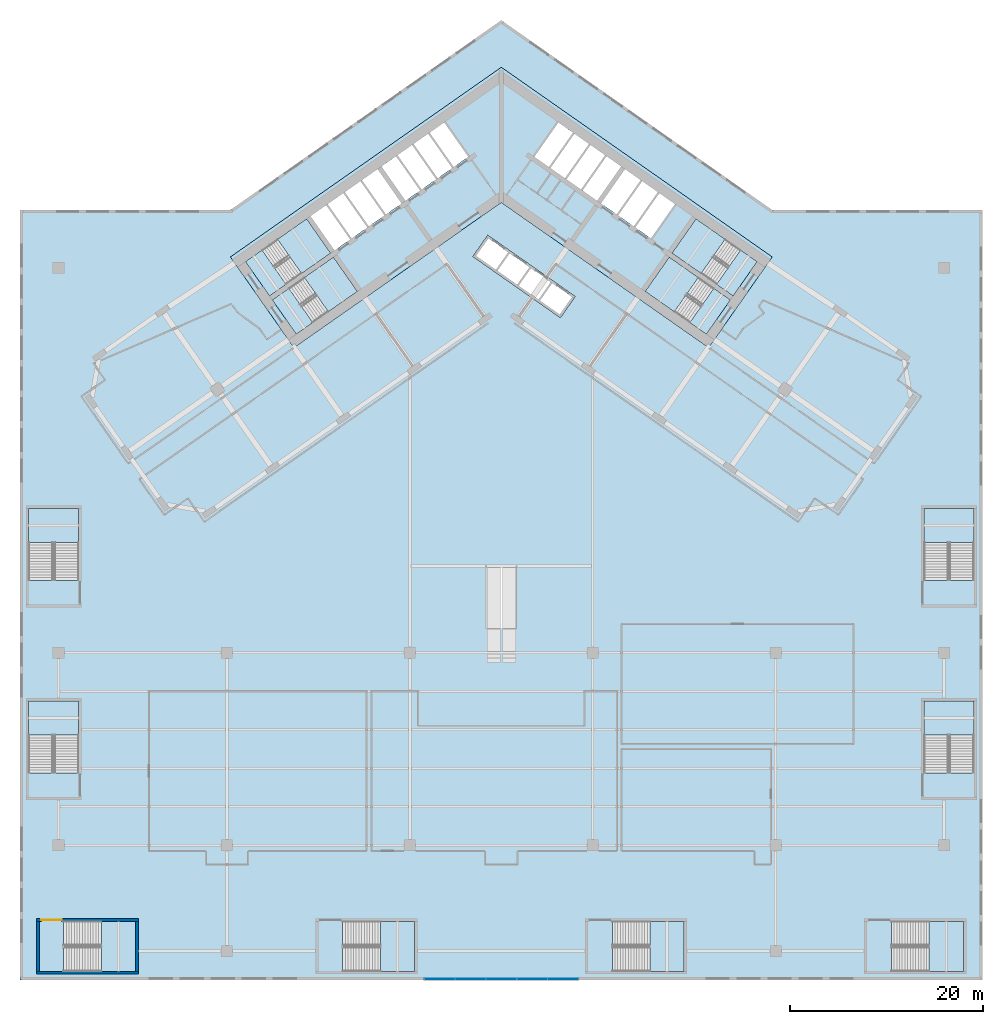
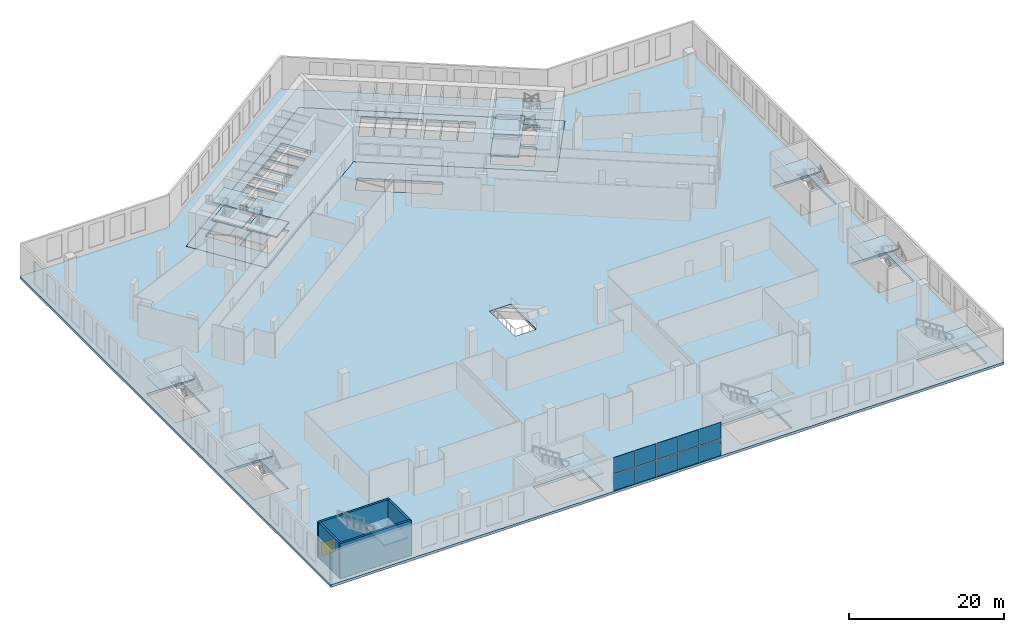
# One storey, part 4 of 26: 22 slabs, 10 plates, 4 walls, 1 door, 1 opening, 13 elements without a shape of their own.
"""IFC4 building model written with IfcOpenShell, lengths in metres."""

from ifc_helpers import new_model, si_unit, direction, frame, frame_2d, origin, origin_2d, place, context, subcontext, project, spatial, polyline, rectangle, outline, extrude, material, layer, layer_set, type_object, element, fill, aggregate, save


model = new_model("IFC4")

# Units and contexts
model_context = context("Model", 3, precision=1e-05, world=origin(), true_north=direction((0.0, 1.0)))
body_context = subcontext(model_context, "Body", "Model", "MODEL_VIEW")
ifc_project = project(units=[si_unit("LENGTHUNIT", "METRE"), si_unit("AREAUNIT", "SQUARE_METRE"), si_unit("VOLUMEUNIT", "CUBIC_METRE"), si_unit("PLANEANGLEUNIT", "RADIAN"), si_unit("MASSUNIT", "GRAM", prefix="KILO")], contexts=[model_context])

# Site, building, storey
site_placement = place(None, origin())
site = spatial("IfcSite", under=ifc_project, at=site_placement, CompositionType="ELEMENT")
building_placement = place(site_placement, origin())
building = spatial("IfcBuilding", under=site, at=building_placement, Name="Tel Ilan Convention Tower", CompositionType="ELEMENT")
storey_placement = place(building_placement, frame((0.0, 0.0, 37.5)))
storey = spatial("IfcBuildingStorey", under=building, at=storey_placement, Name="L05", CompositionType="ELEMENT", Elevation=37.5)

# Curtain wall, plates
ifc_material_1 = material(Name="Aluminium, bronze anodised", Category="aluminium")
curtain_wall_type = type_object("IfcCurtainWallType", Name="CW3 FOYER CURTAIN WALL, CLEAR GLASS", PredefinedType="NOTDEFINED", material=ifc_material_1)
curtain_wall_placement = place(storey_placement, origin())
curtain_wall = element("IfcCurtainWall", 1, at=curtain_wall_placement, inside=storey, type_object=curtain_wall_type, Name="Curtain wall CW3-08.F01", PredefinedType="NOTDEFINED")
ifc_material_2 = material(Name="Glass, clear, two-ply", Category="glass")
ifc_layer_1 = layer(ifc_material_2, 0.028076171875)
ifc_layer_set_1 = layer_set([ifc_layer_1], Name="CW FOYER GLASS PANEL 28")
plate_type = type_object("IfcPlateType", Name="CW FOYER GLASS PANEL 28", PredefinedType="CURTAIN_PANEL", material=ifc_layer_set_1)
plate_1_placement = place(storey_placement, frame((-6.39990234375, -81.89990234375, 0.0), z_axis=(0.0, 0.0, 1.0), x_axis=(1.0, 0.0, 0.0)))
plate_1 = element("IfcPlate", 2, at=plate_1_placement, type_object=plate_type, Name="Glass panel", PredefinedType="CURTAIN_PANEL", context=body_context, shape_type="SweptSolid", body=[
    extrude(rectangle(XDim=3.139892578125, YDim=0.028076171875, at=origin_2d()), origin(), (0.0, 0.0, 1.0), 2.550048828125),
])
plate_2_placement = place(storey_placement, frame((-6.39990234375, -81.89990234375, 2.669921875), z_axis=(0.0, 0.0, 1.0), x_axis=(1.0, 0.0, 0.0)))
plate_2 = element("IfcPlate", 3, at=plate_2_placement, type_object=plate_type, Name="Glass panel", PredefinedType="CURTAIN_PANEL", context=body_context, shape_type="SweptSolid", body=[
    extrude(rectangle(XDim=3.139892578125, YDim=0.028076171875, at=origin_2d()), origin(), (0.0, 0.0, 1.0), 2.550048828125),
])
plate_3_placement = place(storey_placement, frame((-3.199951171875, -81.89990234375, 0.0), z_axis=(0.0, 0.0, 1.0), x_axis=(1.0, 0.0, 0.0)))
plate_3 = element("IfcPlate", 4, at=plate_3_placement, type_object=plate_type, Name="Glass panel", PredefinedType="CURTAIN_PANEL", context=body_context, shape_type="SweptSolid", body=[
    extrude(rectangle(XDim=3.139892578125, YDim=0.028076171875, at=origin_2d()), origin(), (0.0, 0.0, 1.0), 2.550048828125),
])
plate_4_placement = place(storey_placement, frame((-3.199951171875, -81.89990234375, 2.669921875), z_axis=(0.0, 0.0, 1.0), x_axis=(1.0, 0.0, 0.0)))
plate_4 = element("IfcPlate", 5, at=plate_4_placement, type_object=plate_type, Name="Glass panel", PredefinedType="CURTAIN_PANEL", context=body_context, shape_type="SweptSolid", body=[
    extrude(rectangle(XDim=3.139892578125, YDim=0.028076171875, at=origin_2d()), origin(), (0.0, 0.0, 1.0), 2.550048828125),
])
plate_5_placement = place(storey_placement, frame((0.0, -81.89990234375, 0.0), z_axis=(0.0, 0.0, 1.0), x_axis=(1.0, 0.0, 0.0)))
plate_5 = element("IfcPlate", 6, at=plate_5_placement, type_object=plate_type, Name="Glass panel", PredefinedType="CURTAIN_PANEL", context=body_context, shape_type="SweptSolid", body=[
    extrude(rectangle(XDim=3.139892578125, YDim=0.028076171875, at=origin_2d()), origin(), (0.0, 0.0, 1.0), 2.550048828125),
])
plate_6_placement = place(storey_placement, frame((0.0, -81.89990234375, 2.669921875), z_axis=(0.0, 0.0, 1.0), x_axis=(1.0, 0.0, 0.0)))
plate_6 = element("IfcPlate", 7, at=plate_6_placement, type_object=plate_type, Name="Glass panel", PredefinedType="CURTAIN_PANEL", context=body_context, shape_type="SweptSolid", body=[
    extrude(rectangle(XDim=3.139892578125, YDim=0.028076171875, at=origin_2d()), origin(), (0.0, 0.0, 1.0), 2.550048828125),
])
plate_7_placement = place(storey_placement, frame((3.199951171875, -81.89990234375, 0.0), z_axis=(0.0, 0.0, 1.0), x_axis=(1.0, 0.0, 0.0)))
plate_7 = element("IfcPlate", 8, at=plate_7_placement, type_object=plate_type, Name="Glass panel", PredefinedType="CURTAIN_PANEL", context=body_context, shape_type="SweptSolid", body=[
    extrude(rectangle(XDim=3.139892578125, YDim=0.028076171875, at=origin_2d()), origin(), (0.0, 0.0, 1.0), 2.550048828125),
])
plate_8_placement = place(storey_placement, frame((3.199951171875, -81.89990234375, 2.669921875), z_axis=(0.0, 0.0, 1.0), x_axis=(1.0, 0.0, 0.0)))
plate_8 = element("IfcPlate", 9, at=plate_8_placement, type_object=plate_type, Name="Glass panel", PredefinedType="CURTAIN_PANEL", context=body_context, shape_type="SweptSolid", body=[
    extrude(rectangle(XDim=3.139892578125, YDim=0.028076171875, at=origin_2d()), origin(), (0.0, 0.0, 1.0), 2.550048828125),
])
plate_9_placement = place(storey_placement, frame((6.39990234375, -81.89990234375, 0.0), z_axis=(0.0, 0.0, 1.0), x_axis=(1.0, 0.0, 0.0)))
plate_9 = element("IfcPlate", 10, at=plate_9_placement, type_object=plate_type, Name="Glass panel", PredefinedType="CURTAIN_PANEL", context=body_context, shape_type="SweptSolid", body=[
    extrude(rectangle(XDim=3.139892578125, YDim=0.028076171875, at=origin_2d()), origin(), (0.0, 0.0, 1.0), 2.550048828125),
])
plate_10_placement = place(storey_placement, frame((6.39990234375, -81.89990234375, 2.669921875), z_axis=(0.0, 0.0, 1.0), x_axis=(1.0, 0.0, 0.0)))
plate_10 = element("IfcPlate", 11, at=plate_10_placement, type_object=plate_type, Name="Glass panel", PredefinedType="CURTAIN_PANEL", context=body_context, shape_type="SweptSolid", body=[
    extrude(rectangle(XDim=3.139892578125, YDim=0.028076171875, at=origin_2d()), origin(), (0.0, 0.0, 1.0), 2.550048828125),
])
aggregate(curtain_wall, [plate_1, plate_2, plate_3, plate_4, plate_5, plate_6, plate_7, plate_8, plate_9, plate_10])

# Stair, slabs
ifc_material_3 = material(Name="Concrete C40/50", Category="concrete")
stair_type_1 = type_object("IfcStairType", Name="Pressurised Exit Stair 32 risers 172 mm", PredefinedType="HALF_TURN_STAIR", material=ifc_material_3)
stair_1_placement = place(storey_placement, origin())
stair_1 = element("IfcStair", 12, at=stair_1_placement, inside=storey, type_object=stair_type_1, Name="L05 Pressurised Stair S1", PredefinedType="HALF_TURN_STAIR")
ifc_material_4 = material(Name="Concrete C40/50", Category="concrete")
ifc_layer_2 = layer(ifc_material_4, 0.199951171875)
ifc_layer_set_2 = layer_set([ifc_layer_2], Name="Concrete Stair Landing 200 mm C40/50")
slab_type_1 = type_object("IfcSlabType", Name="Concrete Stair Landing 200 mm", PredefinedType="LANDING", material=ifc_layer_set_2)
slab_1_placement = place(storey_placement, frame((0.0, 0.0, 1.175048828125)))
slab_1 = element("IfcSlab", 13, at=slab_1_placement, type_object=slab_type_1, Name="S1 landing 1", PredefinedType="LANDING", context=body_context, shape_type="SweptSolid", body=[
    extrude(outline(polyline([(-20.754638671875, -8.61181640625), (-17.7314453125, -6.494873046875), (-20.226318359375, -2.931640625), (-23.249755859375, -5.048583984375), (-20.754638671875, -8.61181640625)])), origin(), (0.0, 0.0, 1.0), 0.199951171875),
])
slab_2_placement = place(storey_placement, frame((0.0, 0.0, 2.550048828125)))
slab_2 = element("IfcSlab", 14, at=slab_2_placement, type_object=slab_type_1, Name="S1 landing 2", PredefinedType="LANDING", context=body_context, shape_type="SweptSolid", body=[
    extrude(outline(polyline([(-24.079833984375, -10.940185546875), (-22.35888671875, -9.735107421875), (-24.85400390625, -6.171875), (-26.574951171875, -7.376708984375), (-24.079833984375, -10.940185546875)])), origin(), (0.0, 0.0, 1.0), 0.199951171875),
])
slab_3_placement = place(storey_placement, frame((0.0, 0.0, 3.925048828125)))
slab_3 = element("IfcSlab", 15, at=slab_3_placement, type_object=slab_type_1, Name="S1 landing 3", PredefinedType="LANDING", context=body_context, shape_type="SweptSolid", body=[
    extrude(outline(polyline([(-20.754638671875, -8.61181640625), (-17.7314453125, -6.494873046875), (-20.226318359375, -2.931640625), (-23.249755859375, -5.048583984375), (-20.754638671875, -8.61181640625)])), origin(), (0.0, 0.0, 1.0), 0.199951171875),
])
aggregate(stair_1, [slab_1, slab_2, slab_3])

stair_2_placement = place(storey_placement, origin())
stair_2 = element("IfcStair", 16, at=stair_2_placement, inside=storey, type_object=stair_type_1, Name="L05 Pressurised Stair S2", PredefinedType="HALF_TURN_STAIR")
slab_4_placement = place(storey_placement, frame((0.0, 0.0, 1.175048828125)))
slab_4 = element("IfcSlab", 17, at=slab_4_placement, type_object=slab_type_1, Name="S2 landing 1", PredefinedType="LANDING", context=body_context, shape_type="SweptSolid", body=[
    extrude(outline(polyline([(-17.972900390625, -12.584716796875), (-14.949462890625, -10.4677734375), (-17.444580078125, -6.904541015625), (-20.468017578125, -9.021484375), (-17.972900390625, -12.584716796875)])), origin(), (0.0, 0.0, 1.0), 0.199951171875),
])
slab_5_placement = place(storey_placement, frame((0.0, 0.0, 2.550048828125)))
slab_5 = element("IfcSlab", 18, at=slab_5_placement, type_object=slab_type_1, Name="S2 landing 2", PredefinedType="LANDING", context=body_context, shape_type="SweptSolid", body=[
    extrude(outline(polyline([(-21.2978515625, -14.9130859375), (-19.5771484375, -13.7080078125), (-22.072021484375, -10.144775390625), (-23.79296875, -11.349609375), (-21.2978515625, -14.9130859375)])), origin(), (0.0, 0.0, 1.0), 0.199951171875),
])
slab_6_placement = place(storey_placement, frame((0.0, 0.0, 3.925048828125)))
slab_6 = element("IfcSlab", 19, at=slab_6_placement, type_object=slab_type_1, Name="S2 landing 3", PredefinedType="LANDING", context=body_context, shape_type="SweptSolid", body=[
    extrude(outline(polyline([(-17.972900390625, -12.584716796875), (-14.949462890625, -10.4677734375), (-17.444580078125, -6.904541015625), (-20.468017578125, -9.021484375), (-17.972900390625, -12.584716796875)])), origin(), (0.0, 0.0, 1.0), 0.199951171875),
])
aggregate(stair_2, [slab_4, slab_5, slab_6])

stair_3_placement = place(storey_placement, origin())
stair_3 = element("IfcStair", 20, at=stair_3_placement, inside=storey, type_object=stair_type_1, Name="L05 Pressurised Stair S3", PredefinedType="HALF_TURN_STAIR")
slab_7_placement = place(storey_placement, frame((0.0, 0.0, 1.175048828125)))
slab_7 = element("IfcSlab", 21, at=slab_7_placement, type_object=slab_type_1, Name="S3 landing 1", PredefinedType="LANDING", context=body_context, shape_type="SweptSolid", body=[
    extrude(outline(polyline([(23.249755859375, -5.048583984375), (20.226318359375, -2.931640625), (17.7314453125, -6.494873046875), (20.754638671875, -8.61181640625), (23.249755859375, -5.048583984375)])), origin(), (0.0, 0.0, 1.0), 0.199951171875),
])
slab_8_placement = place(storey_placement, frame((0.0, 0.0, 2.550048828125)))
slab_8 = element("IfcSlab", 22, at=slab_8_placement, type_object=slab_type_1, Name="S3 landing 2", PredefinedType="LANDING", context=body_context, shape_type="SweptSolid", body=[
    extrude(outline(polyline([(26.574951171875, -7.376708984375), (24.85400390625, -6.171875), (22.35888671875, -9.735107421875), (24.079833984375, -10.940185546875), (26.574951171875, -7.376708984375)])), origin(), (0.0, 0.0, 1.0), 0.199951171875),
])
slab_9_placement = place(storey_placement, frame((0.0, 0.0, 3.925048828125)))
slab_9 = element("IfcSlab", 23, at=slab_9_placement, type_object=slab_type_1, Name="S3 landing 3", PredefinedType="LANDING", context=body_context, shape_type="SweptSolid", body=[
    extrude(outline(polyline([(23.249755859375, -5.048583984375), (20.226318359375, -2.931640625), (17.7314453125, -6.494873046875), (20.754638671875, -8.61181640625), (23.249755859375, -5.048583984375)])), origin(), (0.0, 0.0, 1.0), 0.199951171875),
])
aggregate(stair_3, [slab_7, slab_8, slab_9])

stair_4_placement = place(storey_placement, origin())
stair_4 = element("IfcStair", 24, at=stair_4_placement, inside=storey, type_object=stair_type_1, Name="L05 Pressurised Stair S4", PredefinedType="HALF_TURN_STAIR")
slab_10_placement = place(storey_placement, frame((0.0, 0.0, 1.175048828125)))
slab_10 = element("IfcSlab", 25, at=slab_10_placement, type_object=slab_type_1, Name="S4 landing 1", PredefinedType="LANDING", context=body_context, shape_type="SweptSolid", body=[
    extrude(outline(polyline([(20.468017578125, -9.021484375), (17.444580078125, -6.904541015625), (14.949462890625, -10.4677734375), (17.972900390625, -12.584716796875), (20.468017578125, -9.021484375)])), origin(), (0.0, 0.0, 1.0), 0.199951171875),
])
slab_11_placement = place(storey_placement, frame((0.0, 0.0, 2.550048828125)))
slab_11 = element("IfcSlab", 26, at=slab_11_placement, type_object=slab_type_1, Name="S4 landing 2", PredefinedType="LANDING", context=body_context, shape_type="SweptSolid", body=[
    extrude(outline(polyline([(23.79296875, -11.349609375), (22.072021484375, -10.144775390625), (19.5771484375, -13.7080078125), (21.2978515625, -14.9130859375), (23.79296875, -11.349609375)])), origin(), (0.0, 0.0, 1.0), 0.199951171875),
])
slab_12_placement = place(storey_placement, frame((0.0, 0.0, 3.925048828125)))
slab_12 = element("IfcSlab", 27, at=slab_12_placement, type_object=slab_type_1, Name="S4 landing 3", PredefinedType="LANDING", context=body_context, shape_type="SweptSolid", body=[
    extrude(outline(polyline([(20.468017578125, -9.021484375), (17.444580078125, -6.904541015625), (14.949462890625, -10.4677734375), (17.972900390625, -12.584716796875), (20.468017578125, -9.021484375)])), origin(), (0.0, 0.0, 1.0), 0.199951171875),
])
aggregate(stair_4, [slab_10, slab_11, slab_12])

# Stair, slab
ifc_material_5 = material(Name="Concrete C40/50", Category="concrete")
stair_type_2 = type_object("IfcStairType", Name="Pressurised Exit Stair 30 risers 183 mm", PredefinedType="HALF_TURN_STAIR", material=ifc_material_5)
stair_5_placement = place(storey_placement, origin())
stair_5 = element("IfcStair", 28, at=stair_5_placement, inside=storey, type_object=stair_type_2, Name="L05 Podium Exit Stair P1", PredefinedType="HALF_TURN_STAIR")
slab_13_placement = place(storey_placement, frame((0.0, 0.0, 2.550048828125)))
slab_13 = element("IfcSlab", 29, at=slab_13_placement, type_object=slab_type_1, Name="P1 landing 1", PredefinedType="LANDING", context=body_context, shape_type="SweptSolid", body=[
    extrude(outline(polyline([(-41.555908203125, -81.10009765625), (-38.0, -81.10009765625), (-38.0, -75.89990234375), (-41.555908203125, -75.89990234375), (-41.555908203125, -81.10009765625)])), origin(), (0.0, 0.0, 1.0), 0.199951171875),
])
aggregate(stair_5, [slab_13])

stair_6_placement = place(storey_placement, origin())
stair_6 = element("IfcStair", 30, at=stair_6_placement, inside=storey, type_object=stair_type_2, Name="L05 Podium Exit Stair P2", PredefinedType="HALF_TURN_STAIR")
slab_14_placement = place(storey_placement, frame((0.0, 0.0, 2.550048828125)))
slab_14 = element("IfcSlab", 31, at=slab_14_placement, type_object=slab_type_1, Name="P2 landing 1", PredefinedType="LANDING", context=body_context, shape_type="SweptSolid", body=[
    extrude(outline(polyline([(-12.555908203125, -81.10009765625), (-9.0, -81.10009765625), (-9.0, -75.89990234375), (-12.555908203125, -75.89990234375), (-12.555908203125, -81.10009765625)])), origin(), (0.0, 0.0, 1.0), 0.199951171875),
])
aggregate(stair_6, [slab_14])

stair_7_placement = place(storey_placement, origin())
stair_7 = element("IfcStair", 32, at=stair_7_placement, inside=storey, type_object=stair_type_2, Name="L05 Podium Exit Stair P3", PredefinedType="HALF_TURN_STAIR")
slab_15_placement = place(storey_placement, frame((0.0, 0.0, 2.550048828125)))
slab_15 = element("IfcSlab", 33, at=slab_15_placement, type_object=slab_type_1, Name="P3 landing 1", PredefinedType="LANDING", context=body_context, shape_type="SweptSolid", body=[
    extrude(outline(polyline([(15.444091796875, -81.10009765625), (19.0, -81.10009765625), (19.0, -75.89990234375), (15.444091796875, -75.89990234375), (15.444091796875, -81.10009765625)])), origin(), (0.0, 0.0, 1.0), 0.199951171875),
])
aggregate(stair_7, [slab_15])

stair_8_placement = place(storey_placement, origin())
stair_8 = element("IfcStair", 34, at=stair_8_placement, inside=storey, type_object=stair_type_2, Name="L05 Podium Exit Stair P4", PredefinedType="HALF_TURN_STAIR")
slab_16_placement = place(storey_placement, frame((0.0, 0.0, 2.550048828125)))
slab_16 = element("IfcSlab", 35, at=slab_16_placement, type_object=slab_type_1, Name="P4 landing 1", PredefinedType="LANDING", context=body_context, shape_type="SweptSolid", body=[
    extrude(outline(polyline([(44.444091796875, -81.10009765625), (48.0, -81.10009765625), (48.0, -75.89990234375), (44.444091796875, -75.89990234375), (44.444091796875, -81.10009765625)])), origin(), (0.0, 0.0, 1.0), 0.199951171875),
])
aggregate(stair_8, [slab_16])

stair_9_placement = place(storey_placement, origin())
stair_9 = element("IfcStair", 36, at=stair_9_placement, inside=storey, type_object=stair_type_2, Name="L05 Podium Exit Stair P5", PredefinedType="HALF_TURN_STAIR")
slab_17_placement = place(storey_placement, frame((0.0, 0.0, 2.550048828125)))
slab_17 = element("IfcSlab", 37, at=slab_17_placement, type_object=slab_type_1, Name="P5 landing 1", PredefinedType="LANDING", context=body_context, shape_type="SweptSolid", body=[
    extrude(outline(polyline([(-43.89990234375, -56.555908203125), (-43.89990234375, -53.0), (-49.10009765625, -53.0), (-49.10009765625, -56.555908203125), (-43.89990234375, -56.555908203125)])), origin(), (0.0, 0.0, 1.0), 0.199951171875),
])
aggregate(stair_9, [slab_17])

stair_10_placement = place(storey_placement, origin())
stair_10 = element("IfcStair", 38, at=stair_10_placement, inside=storey, type_object=stair_type_2, Name="L05 Podium Exit Stair P6", PredefinedType="HALF_TURN_STAIR")
slab_18_placement = place(storey_placement, frame((0.0, 0.0, 2.550048828125)))
slab_18 = element("IfcSlab", 39, at=slab_18_placement, type_object=slab_type_1, Name="P6 landing 1", PredefinedType="LANDING", context=body_context, shape_type="SweptSolid", body=[
    extrude(outline(polyline([(49.10009765625, -56.555908203125), (49.10009765625, -53.0), (43.89990234375, -53.0), (43.89990234375, -56.555908203125), (49.10009765625, -56.555908203125)])), origin(), (0.0, 0.0, 1.0), 0.199951171875),
])
aggregate(stair_10, [slab_18])

stair_11_placement = place(storey_placement, origin())
stair_11 = element("IfcStair", 40, at=stair_11_placement, inside=storey, type_object=stair_type_2, Name="L05 Podium Exit Stair P7", PredefinedType="HALF_TURN_STAIR")
slab_19_placement = place(storey_placement, frame((0.0, 0.0, 2.550048828125)))
slab_19 = element("IfcSlab", 41, at=slab_19_placement, type_object=slab_type_1, Name="P7 landing 1", PredefinedType="LANDING", context=body_context, shape_type="SweptSolid", body=[
    extrude(outline(polyline([(-43.89990234375, -36.555908203125), (-43.89990234375, -33.0), (-49.10009765625, -33.0), (-49.10009765625, -36.555908203125), (-43.89990234375, -36.555908203125)])), origin(), (0.0, 0.0, 1.0), 0.199951171875),
])
aggregate(stair_11, [slab_19])

stair_12_placement = place(storey_placement, origin())
stair_12 = element("IfcStair", 42, at=stair_12_placement, inside=storey, type_object=stair_type_2, Name="L05 Podium Exit Stair P8", PredefinedType="HALF_TURN_STAIR")
slab_20_placement = place(storey_placement, frame((0.0, 0.0, 2.550048828125)))
slab_20 = element("IfcSlab", 43, at=slab_20_placement, type_object=slab_type_1, Name="P8 landing 1", PredefinedType="LANDING", context=body_context, shape_type="SweptSolid", body=[
    extrude(outline(polyline([(49.10009765625, -36.555908203125), (49.10009765625, -33.0), (43.89990234375, -33.0), (43.89990234375, -36.555908203125), (49.10009765625, -36.555908203125)])), origin(), (0.0, 0.0, 1.0), 0.199951171875),
])
aggregate(stair_12, [slab_20])

# Slabs
ifc_material_6 = material(Name="Concrete C40/50", Category="concrete")
ifc_layer_3 = layer(ifc_material_6, 0.39990234375)
ifc_layer_set_3 = layer_set([ifc_layer_3], Name="Core Floor Slab 400 mm C40/50")
slab_type_2 = type_object("IfcSlabType", Name="Core Floor Slab 400 mm C40/50", PredefinedType="FLOOR", material=ifc_layer_set_3)
slab_21_placement = place(storey_placement, frame((0.0, 0.0, -0.39990234375)))
element("IfcSlab", 44, at=slab_21_placement, inside=storey, type_object=slab_type_2, Name="L05 core floor 1", PredefinedType="FLOOR", context=body_context, shape_type="SweptSolid", body=[
    extrude(outline(polyline([(-28.1396484375, -6.885498046875), (0.0, 12.818115234375), (28.1396484375, -6.885498046875), (21.54345703125, -16.3056640625), (0.0, -1.220703125), (-21.54345703125, -16.3056640625), (-28.1396484375, -6.885498046875)]), holes=[polyline([(-19.5771484375, -13.7080078125), (-14.949462890625, -10.4677734375), (-17.444580078125, -6.904541015625), (-22.072021484375, -10.144775390625), (-19.5771484375, -13.7080078125)]), polyline([(-22.35888671875, -9.735107421875), (-17.7314453125, -6.494873046875), (-20.226318359375, -2.931640625), (-24.85400390625, -6.171875), (-22.35888671875, -9.735107421875)]), polyline([(-15.7041015625, -5.0751953125), (-18.198974609375, -1.511962890625), (-19.81689453125, -2.644775390625), (-17.32177734375, -6.2080078125), (-15.7041015625, -5.0751953125)]), polyline([(-13.92236328125, -3.827880859375), (-16.41748046875, -0.264404296875), (-18.03515625, -1.397216796875), (-15.5400390625, -4.960693359375), (-13.92236328125, -3.827880859375)]), polyline([(-12.140625, -2.580078125), (-14.6357421875, 0.983154296875), (-16.25341796875, -0.149658203125), (-13.758544921875, -3.712890625), (-12.140625, -2.580078125)]), polyline([(-10.35888671875, -1.332763671875), (-12.85400390625, 2.230712890625), (-14.471923828125, 1.097900390625), (-11.976806640625, -2.465576171875), (-10.35888671875, -1.332763671875)]), polyline([(-8.444091796875, 0.008056640625), (-10.939208984375, 3.5712890625), (-12.444580078125, 2.517333984375), (-9.949462890625, -1.0458984375), (-8.444091796875, 0.008056640625)]), polyline([(-6.775146484375, 1.1767578125), (-9.270263671875, 4.739990234375), (-10.775390625, 3.68603515625), (-8.280517578125, 0.122802734375), (-6.775146484375, 1.1767578125)]), polyline([(-5.106201171875, 2.345458984375), (-7.601318359375, 5.90869140625), (-9.1064453125, 4.854736328125), (-6.611328125, 1.29150390625), (-5.106201171875, 2.345458984375)]), polyline([(-3.437255859375, 3.513916015625), (-5.93212890625, 7.077392578125), (-7.4375, 6.0234375), (-4.9423828125, 2.460205078125), (-3.437255859375, 3.513916015625)]), polyline([(22.072021484375, -10.144775390625), (17.444580078125, -6.904541015625), (14.949462890625, -10.4677734375), (19.5771484375, -13.7080078125), (22.072021484375, -10.144775390625)]), polyline([(24.85400390625, -6.171875), (20.226318359375, -2.931640625), (17.7314453125, -6.494873046875), (22.35888671875, -9.735107421875), (24.85400390625, -6.171875)]), polyline([(13.92236328125, -3.827880859375), (15.5400390625, -4.960693359375), (18.03515625, -1.397216796875), (16.41748046875, -0.264404296875), (13.92236328125, -3.827880859375)]), polyline([(12.140625, -2.580078125), (13.758544921875, -3.712890625), (16.25341796875, -0.149658203125), (14.6357421875, 0.983154296875), (12.140625, -2.580078125)]), polyline([(10.35888671875, -1.332763671875), (11.976806640625, -2.465576171875), (14.471923828125, 1.097900390625), (12.85400390625, 2.230712890625), (10.35888671875, -1.332763671875)]), polyline([(8.444091796875, 0.008056640625), (9.949462890625, -1.0458984375), (12.444580078125, 2.517333984375), (10.939208984375, 3.5712890625), (8.444091796875, 0.008056640625)]), polyline([(6.775146484375, 1.1767578125), (8.280517578125, 0.122802734375), (10.775390625, 3.68603515625), (9.270263671875, 4.739990234375), (6.775146484375, 1.1767578125)]), polyline([(5.106201171875, 2.345458984375), (6.611328125, 1.29150390625), (9.1064453125, 4.854736328125), (7.601318359375, 5.90869140625), (5.106201171875, 2.345458984375)]), polyline([(3.437255859375, 3.513916015625), (4.9423828125, 2.460205078125), (7.4375, 6.0234375), (5.93212890625, 7.077392578125), (3.437255859375, 3.513916015625)])]), origin(), (0.0, 0.0, 1.0), 0.39990234375),
])
ifc_material_7 = material(Name="Concrete C40/50", Category="concrete")
ifc_layer_4 = layer(ifc_material_7, 0.39990234375)
ifc_layer_set_4 = layer_set([ifc_layer_4], Name="Podium Floor Slab 400 mm C40/50")
slab_type_3 = type_object("IfcSlabType", Name="Podium Floor Slab 400 mm C40/50", PredefinedType="FLOOR", material=ifc_layer_set_4)
slab_22_placement = place(storey_placement, frame((0.0, 0.0, -0.39990234375)))
element("IfcSlab", 45, at=slab_22_placement, inside=storey, type_object=slab_type_3, Name="L05 floor slab", PredefinedType="FLOOR", context=body_context, shape_type="SweptSolid", body=[
    extrude(outline(polyline([(-50.0, -2.0), (-28.13623046875, -2.0), (0.0, 17.701171875), (28.13623046875, -2.0), (50.0, -2.0), (50.0, -82.0), (-50.0, -82.0), (-50.0, -2.0)]), holes=[polyline([(43.89990234375, -53.0), (43.89990234375, -60.47412109375), (49.10009765625, -60.47412109375), (49.10009765625, -53.0), (43.89990234375, -53.0)]), polyline([(49.10009765625, -33.0), (43.89990234375, -33.0), (43.89990234375, -40.47412109375), (49.10009765625, -40.47412109375), (49.10009765625, -33.0)]), polyline([(48.0, -75.89990234375), (40.52587890625, -75.89990234375), (40.52587890625, -81.10009765625), (48.0, -81.10009765625), (48.0, -75.89990234375)]), polyline([(21.54345703125, -16.3056640625), (28.1396484375, -6.885498046875), (0.0, 12.818115234375), (-28.1396484375, -6.885498046875), (-21.54345703125, -16.3056640625), (0.0, -1.220703125), (21.54345703125, -16.3056640625)]), polyline([(11.52587890625, -75.89990234375), (11.52587890625, -81.10009765625), (19.0, -81.10009765625), (19.0, -75.89990234375), (11.52587890625, -75.89990234375)]), polyline([(6.13427734375, -13.206787109375), (7.682861328125, -10.9951171875), (-1.40966796875, -4.62841796875), (-2.95849609375, -6.840087890625), (6.13427734375, -13.206787109375)]), polyline([(-1.60009765625, -39.009521484375), (-1.60009765625, -45.509521484375), (1.60009765625, -45.509521484375), (1.60009765625, -39.009521484375), (-1.60009765625, -39.009521484375)]), polyline([(-16.47412109375, -75.89990234375), (-16.47412109375, -81.10009765625), (-9.0, -81.10009765625), (-9.0, -75.89990234375), (-16.47412109375, -75.89990234375)]), polyline([(-45.47412109375, -75.89990234375), (-45.47412109375, -81.10009765625), (-38.0, -81.10009765625), (-38.0, -75.89990234375), (-45.47412109375, -75.89990234375)]), polyline([(-49.10009765625, -33.0), (-49.10009765625, -40.47412109375), (-43.89990234375, -40.47412109375), (-43.89990234375, -33.0), (-49.10009765625, -33.0)]), polyline([(-43.89990234375, -53.0), (-49.10009765625, -53.0), (-49.10009765625, -60.47412109375), (-43.89990234375, -60.47412109375), (-43.89990234375, -53.0)])]), origin(), (0.0, 0.0, 1.0), 0.39990234375),
])

# Wall
ifc_material_8 = material(Name="Concrete C40/50", Category="concrete")
ifc_layer_5 = layer(ifc_material_8, 0.300048828125)
ifc_layer_set_5 = layer_set([ifc_layer_5], Name="Stair Enclosure Wall 300 mm C40/50")
wall_type = type_object("IfcWallType", Name="Stair Enclosure Wall 300 mm C40/50", PredefinedType="SOLIDWALL", material=ifc_layer_set_5)
wall_1_placement = place(storey_placement, frame((-48.300048828125, -81.25, 0.0), z_axis=(0.0, 0.0, 1.0), x_axis=(1.0, 0.0, 0.0)))
element("IfcWall", 46, at=wall_1_placement, inside=storey, type_object=wall_type, Name="P1 stair enclosure wall S L05", PredefinedType="SOLIDWALL", context=body_context, shape_type="SweptSolid", body=[
    extrude(rectangle(XDim=10.60009765625, YDim=0.300048828125, at=frame_2d((5.300048828125, 0.0))), origin(), (0.0, 0.0, 1.0), 5.5),
])

# Wall, opening, door
wall_2_placement = place(storey_placement, frame((-48.300048828125, -75.75, 0.0), z_axis=(0.0, 0.0, 1.0), x_axis=(1.0, 0.0, 0.0)))
wall_2 = element("IfcWall", 47, at=wall_2_placement, inside=storey, type_object=wall_type, Name="P1 stair enclosure wall N L05", PredefinedType="SOLIDWALL", context=body_context, shape_type="SweptSolid", body=[
    extrude(rectangle(XDim=10.60009765625, YDim=0.300048828125, at=frame_2d((5.300048828125, 0.0))), origin(), (0.0, 0.0, 1.0), 5.5),
])
opening_placement = place(wall_2_placement, frame((0.512451171875, 0.0, 0.0)))
opening = element("IfcOpeningElement", 48, at=opening_placement, cuts=wall_2, Name="Opening PD108", PredefinedType="OPENING", context=body_context, shape_type="SweptSolid", body=[
    extrude(rectangle(XDim=2.10009765625, YDim=2.10009765625, at=frame_2d((1.050048828125, 1.050048828125))), frame((0.0, 0.159912109375, 0.0), z_axis=(0.0, -1.0, 0.0), x_axis=(1.0, 0.0, 0.0)), (0.0, 0.0, 1.0), 0.320068359375),
])
ifc_material_9 = material(Name="Galvanised Steel Door Leaf", Category="steel")
door_type = type_object("IfcDoorType", Name="Stair Fire Door 2100 x 2100 FD60S", OperationType="NOTDEFINED", PredefinedType="DOOR", material=ifc_material_9)
door_placement = place(opening_placement, origin())
door = element("IfcDoor", 49, at=door_placement, inside=storey, type_object=door_type, Name="Stair P1 floor door", OperationType="DOUBLE_DOOR_SINGLE_SWING", OverallHeight=2.10009765625, OverallWidth=2.10009765625, PredefinedType="DOOR", context=body_context, shape_type="SweptSolid", body=[
    extrude(rectangle(XDim=2.10009765625, YDim=2.10009765625, at=frame_2d((1.050048828125, 1.050048828125))), frame((0.0, 0.02490234375, 0.0), z_axis=(0.0, -1.0, 0.0), x_axis=(1.0, 0.0, 0.0)), (0.0, 0.0, 1.0), 0.050048828125),
])
fill(opening, door)

# Walls
for number, where, z_axis, x_axis, name in (
    (50, (-48.14990234375, -81.10009765625, 0.0), (0.0, 0.0, 1.0), (0.0, 1.0, 0.0), "P1 stair enclosure wall W L05"),
    (51, (-37.85009765625, -81.10009765625, 0.0), (0.0, 0.0, 1.0), (0.0, 1.0, 0.0), "P1 stair enclosure wall E L05"),
):
    element("IfcWall", number, at=place(storey_placement, frame(where, z_axis=z_axis, x_axis=x_axis)), inside=storey, type_object=wall_type, Name=name, PredefinedType="SOLIDWALL", context=body_context, shape_type="SweptSolid", body=[
        extrude(rectangle(XDim=5.2001953125, YDim=0.300048828125, at=frame_2d((2.60009765625, 0.0))), origin(), (0.0, 0.0, 1.0), 5.5),
    ])

save(model, "model.ifc")
